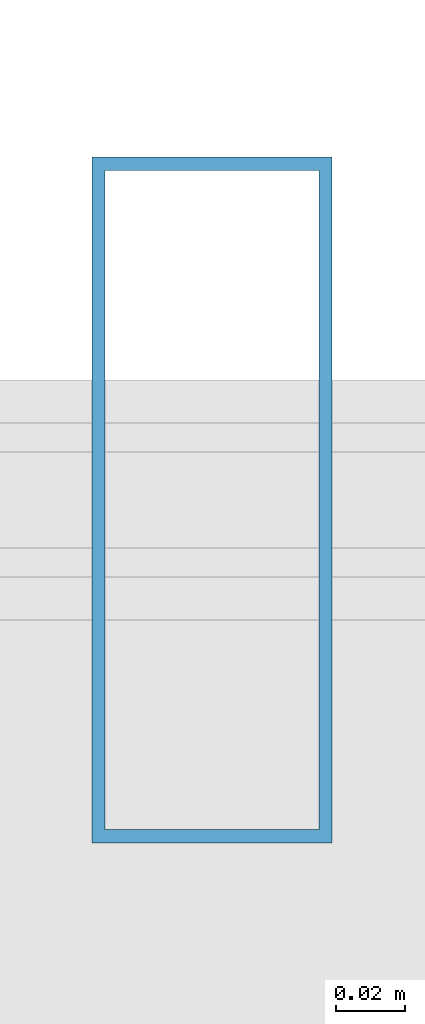
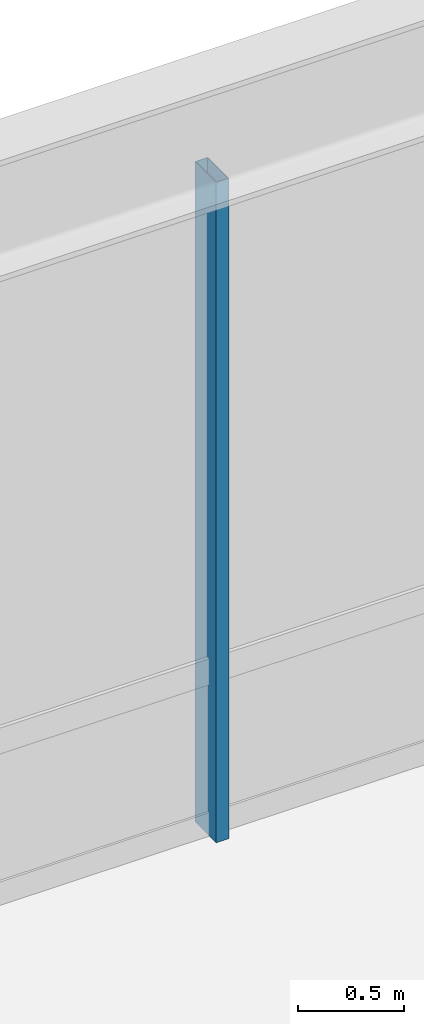
# One storey, part 9 of 22: 1 member, 1 element without a shape of its own.
"""IFC4 building model written with IfcOpenShell, lengths in metres."""

import ifcopenshell
import ifcopenshell.guid

model = None  # the IFC model being written
_history = None  # IfcOwnerHistory: only IFC2X3 demands one
_inside = {}  # id of a spatial element -> (the spatial element, [elements in it])
_under = {}  # id of a project, library or spatial element -> (it, [spatial elements below it])
_declared = {}  # id of a project -> (the project, [libraries it declares])
_typed = {}  # id of a type object -> (the type object, [elements of that type])
_made_of = {}  # id of a material, layer set ... -> (it, [elements and type objects made of it])


def new_model(schema):
    """Start an empty IFC model of exactly this schema.

    Asked for "IFC4X3", IfcOpenShell would pick the latest addendum, in which some entities
    have other attributes; the version numbers below select the first issue.
    IFC2X3 requires an IfcOwnerHistory on every rooted entity: one is made here for all.
    """
    global model, _history
    if schema == "IFC4X3":
        model = ifcopenshell.file(schema_version=(4, 3, 0, 0))
    else:
        model = ifcopenshell.file(schema=schema)
    _inside.clear()
    _under.clear()
    _declared.clear()
    _typed.clear()
    _made_of.clear()
    _history = None
    if model.schema == "IFC2X3":
        org = make("IfcOrganization", Name="unknown")
        user = make(
            "IfcPersonAndOrganization",
            ThePerson=make("IfcPerson", FamilyName="unknown"),
            TheOrganization=org,
        )
        app = make(
            "IfcApplication",
            ApplicationDeveloper=org,
            Version="unknown",
            ApplicationFullName="unknown",
            ApplicationIdentifier="unknown",
        )
        _history = make(
            "IfcOwnerHistory",
            OwningUser=user,
            OwningApplication=app,
            ChangeAction="ADDED",
            CreationDate=0,
        )
    return model


def make(cls, **values):
    """One entity of the class cls with the attributes given. An attribute that is None is left unset."""
    return model.create_entity(
        cls, **{name: value for name, value in values.items() if value is not None}
    )


def rooted(cls, **values):
    """An entity with a GlobalId (a new one), such as an element, a storey or a relation."""
    return make(cls, GlobalId=ifcopenshell.guid.new(), OwnerHistory=_history, **values)


def si_unit(unit_type, name, prefix=None):
    """IfcSIUnit, for example si_unit("LENGTHUNIT", "METRE", prefix="MILLI")."""
    return make("IfcSIUnit", UnitType=unit_type, Prefix=prefix, Name=name)


def assignment(units):
    """IfcUnitAssignment: the units of a project."""
    return None if units is None else make("IfcUnitAssignment", Units=units)


def point(xyz):
    """IfcCartesianPoint."""
    return None if xyz is None else make("IfcCartesianPoint", Coordinates=xyz)


def direction(xyz):
    """IfcDirection."""
    return None if xyz is None else make("IfcDirection", DirectionRatios=xyz)


def frame(location, z_axis=None, x_axis=None):
    """IfcAxis2Placement3D, a coordinate frame: its origin and axes. An axis left out is left unset."""
    return make(
        "IfcAxis2Placement3D",
        Location=point(location),
        Axis=direction(z_axis),
        RefDirection=direction(x_axis),
    )


def frame_2d(location, x_axis=None):
    """IfcAxis2Placement2D, a coordinate frame in the plane: its origin and x axis."""
    return make(
        "IfcAxis2Placement2D", Location=point(location), RefDirection=direction(x_axis)
    )


def origin():
    """The frame at (0, 0, 0) with its axes left unset."""
    return frame((0.0, 0.0, 0.0))


def origin_2d():
    """The frame at (0, 0) in the plane with its x axis left unset."""
    return frame_2d((0.0, 0.0))


def place(relative_to, where):
    """IfcLocalPlacement: puts the frame where relative to a parent placement (None: the world)."""
    return make(
        "IfcLocalPlacement", PlacementRelTo=relative_to, RelativePlacement=where
    )


def context(
    kind, dimensions, precision=None, world=None, true_north=None, identifier=None
):
    """IfcGeometricRepresentationContext, for example the 3D "Model" context."""
    return make(
        "IfcGeometricRepresentationContext",
        ContextIdentifier=identifier,
        ContextType=kind,
        CoordinateSpaceDimension=dimensions,
        Precision=precision,
        WorldCoordinateSystem=world,
        TrueNorth=true_north,
    )


def subcontext(parent, identifier, kind, view, scale=None):
    """IfcGeometricRepresentationSubContext, for example "Body" below "Model"."""
    return make(
        "IfcGeometricRepresentationSubContext",
        ContextIdentifier=identifier,
        ContextType=kind,
        ParentContext=parent,
        TargetScale=scale,
        TargetView=view,
    )


def project(units=None, contexts=None):
    """IfcProject with its units and contexts."""
    return rooted(
        "IfcProject",
        Name="project",
        RepresentationContexts=contexts,
        UnitsInContext=assignment(units),
    )


def spatial(cls, under=None, at=None, **own):
    """A site, building, storey or space (cls), placed at a placement, below another one or the project."""
    s = rooted(cls, ObjectPlacement=at, **own)
    if under is not None:
        _under.setdefault(under.id(), (under, []))[1].append(s)
    return s


def profile(cls, at=None, kind="AREA", **sizes):
    """A parametric profile (cls). Its sizes go by their IFC names, for example OverallWidth=200.0."""
    return make(cls, ProfileType=kind, Position=at, **sizes)


def hollow_rectangle(**sizes):
    """IfcRectangleHollowProfileDef."""
    return profile("IfcRectangleHollowProfileDef", **sizes)


def extrude(swept, where, along, depth):
    """IfcExtrudedAreaSolid: the profile swept, set in the frame where, extruded along a direction by depth."""
    return make(
        "IfcExtrudedAreaSolid",
        SweptArea=swept,
        Position=where,
        ExtrudedDirection=direction(along),
        Depth=depth,
    )


def shape(context_of_items, identifier, shape_type, items):
    """IfcShapeRepresentation: the items that make up one representation, for example the "Body"."""
    return make(
        "IfcShapeRepresentation",
        ContextOfItems=context_of_items,
        RepresentationIdentifier=identifier,
        RepresentationType=shape_type,
        Items=items,
    )


def source(mapping_origin, context_of_items, identifier, shape_type, items):
    """IfcRepresentationMap: a shape defined once, which mapped items show again and again."""
    return make(
        "IfcRepresentationMap",
        MappingOrigin=mapping_origin,
        MappedRepresentation=shape(context_of_items, identifier, shape_type, items),
    )


def transform(
    local_origin,
    x_axis=None,
    y_axis=None,
    z_axis=None,
    scale=None,
    scale2=None,
    scale3=None,
    uniform=True,
):
    """IfcCartesianTransformationOperator3D, or its non-uniform kind. x_axis, y_axis, z_axis: its Axis1, 2, 3."""
    if uniform:
        return make(
            "IfcCartesianTransformationOperator3D",
            Axis1=direction(x_axis),
            Axis2=direction(y_axis),
            LocalOrigin=point(local_origin),
            Scale=scale,
            Axis3=direction(z_axis),
        )
    return make(
        "IfcCartesianTransformationOperator3DnonUniform",
        Axis1=direction(x_axis),
        Axis2=direction(y_axis),
        LocalOrigin=point(local_origin),
        Scale=scale,
        Axis3=direction(z_axis),
        Scale2=scale2,
        Scale3=scale3,
    )


def mapped(mapping_source, mapping_target):
    """IfcMappedItem: shows the shape of a source again, moved by a transform."""
    return make(
        "IfcMappedItem", MappingSource=mapping_source, MappingTarget=mapping_target
    )


def material(Name=None, Category=None):
    """IfcMaterial."""
    return make("IfcMaterial", Name=Name, Category=Category)


def layer(
    of_material, thickness, ventilated=None, Name=None, Category=None, Priority=None
):
    """IfcMaterialLayer: one layer of a wall or slab, of a material (None: an air gap)."""
    return make(
        "IfcMaterialLayer",
        Material=of_material,
        LayerThickness=thickness,
        IsVentilated=ventilated,
        Name=Name,
        Category=Category,
        Priority=Priority,
    )


def layer_set(layers, Name=None):
    """IfcMaterialLayerSet."""
    return make("IfcMaterialLayerSet", MaterialLayers=layers, LayerSetName=Name)


def material_profile(
    of_material, cross_section, Name=None, Category=None, Priority=None
):
    """IfcMaterialProfile: a cross section and its material."""
    return make(
        "IfcMaterialProfile",
        Name=Name,
        Material=of_material,
        Profile=cross_section,
        Priority=Priority,
        Category=Category,
    )


def profile_set(profiles, Name=None, composite=None):
    """IfcMaterialProfileSet."""
    return make(
        "IfcMaterialProfileSet",
        Name=Name,
        MaterialProfiles=profiles,
        CompositeProfile=composite,
    )


def made_of(thing, what):
    """Note that an element or type object is made of a material, layer set ...; save() writes the relation."""
    if what is not None:
        _made_of.setdefault(what.id(), (what, []))[1].append(thing)
    return thing


def type_object(cls, material=None, **own):
    """A type object (cls), such as IfcWallType, which elements share."""
    return made_of(rooted(cls, **own), material)


def element(
    cls,
    number,
    at=None,
    inside=None,
    cuts=None,
    type_object=None,
    material=None,
    context=None,
    identifier="Body",
    shape_type=None,
    held_by="IfcProductDefinitionShape",
    body=None,
    shapes=None,
    **own,
):
    """One element of the class cls, such as IfcWall. Its Tag is "e" and its number.

    at: its placement. inside: the storey or other place that contains it. cuts: it is an
    opening in that element (IfcRelVoidsElement). A single representation is given by context,
    identifier, shape_type and body (its items); several are given by shapes. held_by: the class
    of the entity that holds the representations. save() writes the other relations.
    """
    e = rooted(cls, Tag="e%d" % number, ObjectPlacement=at, **own)
    if body is not None:
        shapes = [shape(context, identifier, shape_type, body)]
    if shapes is not None:
        e.Representation = make(held_by, Representations=shapes)
    if inside is not None:
        _inside.setdefault(inside.id(), (inside, []))[1].append(e)
    if cuts is not None:
        rooted(
            "IfcRelVoidsElement", RelatingBuildingElement=cuts, RelatedOpeningElement=e
        )
    if type_object is not None:
        _typed.setdefault(type_object.id(), (type_object, []))[1].append(e)
    return made_of(e, material)


def aggregate(whole, parts):
    """IfcRelAggregates: a whole, such as a stair, and the parts it consists of."""
    return rooted("IfcRelAggregates", RelatingObject=whole, RelatedObjects=parts)


def save(model, path):
    """Write the relations noted so far, then the file.

    IfcRelAggregates (storeys below a building ...), IfcRelContainedInSpatialStructure (elements
    in a storey), IfcRelDefinesByType, IfcRelAssociatesMaterial and IfcRelDeclares: one each for
    every whole, place, type object, material and project.
    """
    for whole, parts in _under.values():
        aggregate(whole, parts)
    for where, things in _inside.values():
        rooted(
            "IfcRelContainedInSpatialStructure",
            RelatedElements=things,
            RelatingStructure=where,
        )
    for kind, things in _typed.values():
        rooted("IfcRelDefinesByType", RelatedObjects=things, RelatingType=kind)
    for what, things in _made_of.values():
        rooted("IfcRelAssociatesMaterial", RelatedObjects=things, RelatingMaterial=what)
    for by, libraries in _declared.values():
        rooted("IfcRelDeclares", RelatingContext=by, RelatedDefinitions=libraries)
    model.write(path)


model = new_model("IFC4")

# Units and contexts
model_context = context("Model", 3, precision=1e-05, world=origin(), true_north=direction((0.0, 1.0)))
body_context = subcontext(model_context, "Body", "Model", "MODEL_VIEW")
ifc_project = project(units=[si_unit("LENGTHUNIT", "METRE"), si_unit("AREAUNIT", "SQUARE_METRE"), si_unit("VOLUMEUNIT", "CUBIC_METRE"), si_unit("PLANEANGLEUNIT", "RADIAN"), si_unit("MASSUNIT", "GRAM", prefix="KILO")], contexts=[model_context])

# Site, building, storey
site_placement = place(None, origin())
site = spatial("IfcSite", under=ifc_project, at=site_placement, CompositionType="ELEMENT")
building_placement = place(site_placement, origin())
building = spatial("IfcBuilding", under=site, at=building_placement, Name="Kaliganga Portal Commons", CompositionType="ELEMENT")
storey_placement = place(building_placement, frame((0.0, 0.0, 10.199951171875)))
storey = spatial("IfcBuildingStorey", under=building, at=storey_placement, Name="L02", CompositionType="ELEMENT", Elevation=10.199951171875)

# Curtain wall, member
ifc_material_1 = material(Name="Anodized Aluminium and Laminated Low-E Glass", Category="aluminium")
ifc_layer = layer(ifc_material_1, 0.219970703125)
ifc_layer_set = layer_set([ifc_layer], Name="Anodized Aluminium and Laminated Low-E Glass")
curtain_wall_type = type_object("IfcCurtainWallType", Name="CW-SYS-01", PredefinedType="NOTDEFINED", material=ifc_layer_set)
curtain_wall_placement = place(storey_placement, origin())
curtain_wall = element("IfcCurtainWall", 1, at=curtain_wall_placement, inside=storey, type_object=curtain_wall_type, Name="CW 01 L02 P1E02S3", PredefinedType="NOTDEFINED")
ifc_material_2 = material(Name="Dark Bronze Anodized Aluminium", Category="aluminium")
ifc_material_profile = material_profile(ifc_material_2, hollow_rectangle(XDim=0.070068359375, YDim=0.199951171875, WallThickness=0.00390625, at=origin_2d()), Name="ALU MULL 70x200x4")
ifc_profile_set = profile_set([ifc_material_profile], Name="Dark Bronze Anodized Aluminium")
member_type = type_object("IfcMemberType", Name="CW-MUL-220", PredefinedType="MULLION", material=ifc_profile_set)
shared_shape = source(origin(), body_context, "Body", "SweptSolid", [
    extrude(hollow_rectangle(XDim=0.070068359375, YDim=0.199951171875, WallThickness=0.00390625, at=origin_2d()), origin(), (0.0, 0.0, 1.0), 3.820068359375),
])
member_placement = place(storey_placement, frame((51.121826171875, 45.0, 0.0), z_axis=(0.0, 0.0, 1.0), x_axis=(-1.0, 0.0, 0.0)))
member = element("IfcMember", 2, at=member_placement, type_object=member_type, Name="CW:01:L02:P1E02S3 Mullion 05", PredefinedType="MULLION", context=body_context, shape_type="MappedRepresentation", body=[
    mapped(shared_shape, transform((0.0, 0.0, 0.0), x_axis=(1.0, 0.0, 0.0), y_axis=(0.0, 1.0, 0.0), z_axis=(0.0, 0.0, 1.0), scale=1.0)),
])
aggregate(curtain_wall, [member])

save(model, "model.ifc")
